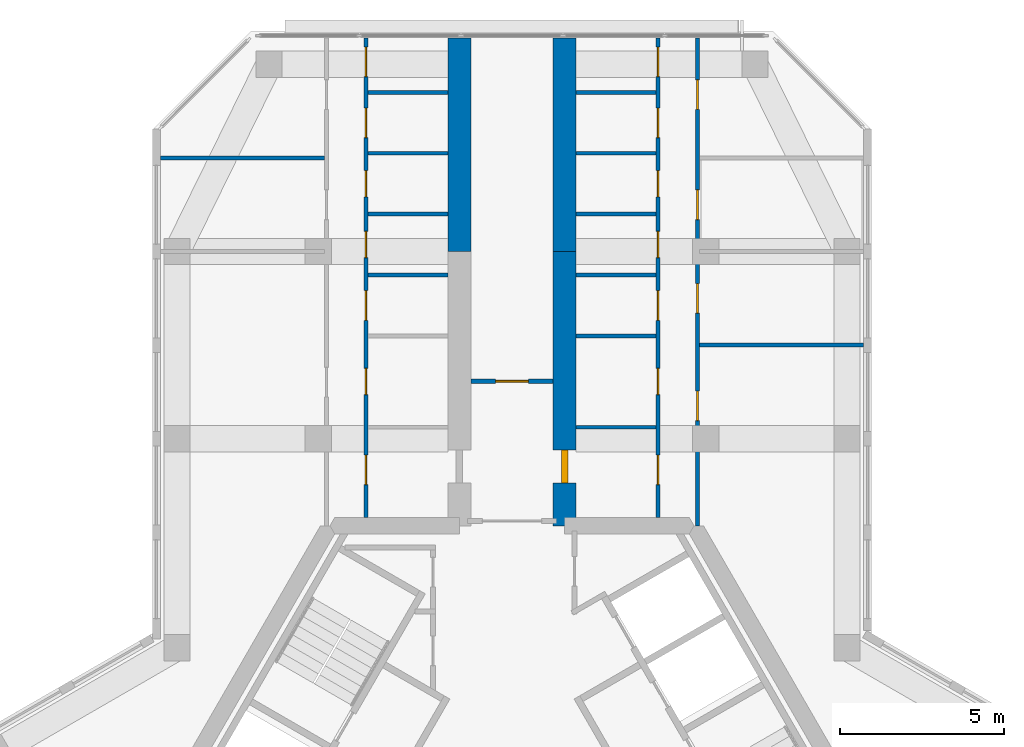
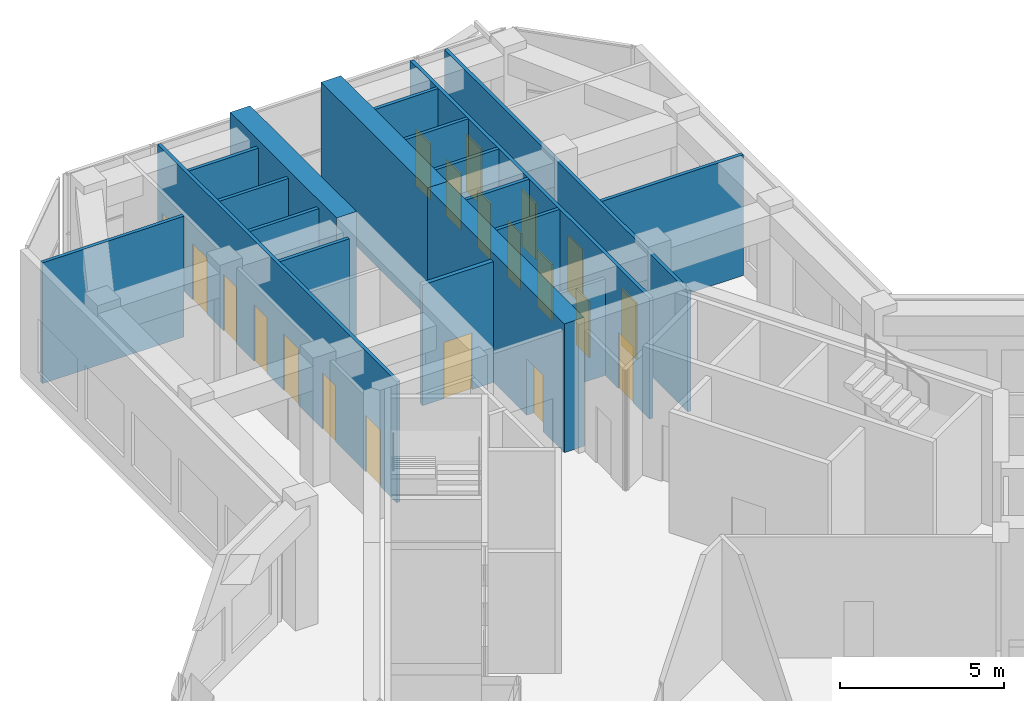
# One storey, part 12 of 14: 20 doors, 19 walls, 20 openings.
"""IFC4 building model written with IfcOpenShell, lengths in metres."""

from ifc_helpers import new_model, si_unit, direction, frame, frame_2d, origin, place, context, subcontext, project, spatial, rectangle, extrude, material, layer, layer_set, type_object, element, fill, save


model = new_model("IFC4")

# Units and contexts
model_context = context("Model", 3, precision=1e-05, world=origin(), true_north=direction((0.0, 1.0)))
body_context = subcontext(model_context, "Body", "Model", "MODEL_VIEW")
ifc_project = project(units=[si_unit("LENGTHUNIT", "METRE"), si_unit("AREAUNIT", "SQUARE_METRE"), si_unit("VOLUMEUNIT", "CUBIC_METRE"), si_unit("PLANEANGLEUNIT", "RADIAN"), si_unit("MASSUNIT", "GRAM", prefix="KILO")], contexts=[model_context])

# Site, building, storey
site_placement = place(None, origin())
site = spatial("IfcSite", under=ifc_project, at=site_placement, CompositionType="ELEMENT")
building_placement = place(site_placement, origin())
building = spatial("IfcBuilding", under=site, at=building_placement, Name="Kosmar Iwan School Tower", CompositionType="ELEMENT")
storey_placement = place(building_placement, frame((0.0, 0.0, 296.199951171875)))
storey = spatial("IfcBuildingStorey", under=building, at=storey_placement, Name="L75", CompositionType="ELEMENT", Elevation=296.199951171875)

# Wall
ifc_material_1 = material(Name="Concrete C50/60", Category="concrete")
ifc_layer_1 = layer(ifc_material_1, 0.699951171875)
ifc_layer_set_1 = layer_set([ifc_layer_1], Name="Corridor buttress wall 700")
wall_type_1 = type_object("IfcWallType", Name="Corridor buttress wall 700", PredefinedType="SHEAR", material=ifc_layer_set_1)
wall_1_placement = place(storey_placement, frame((-1.60009765625, 17.949951171875, 0.0), z_axis=(0.0, 0.0, 1.0), x_axis=(0.0, 1.0, 0.0)))
element("IfcWall", 1, at=wall_1_placement, inside=storey, type_object=wall_type_1, Name="Corridor wall AL bay 2", PredefinedType="SHEAR", context=body_context, shape_type="SweptSolid", body=[
    extrude(rectangle(XDim=6.4951171875, YDim=0.699951171875, at=frame_2d((3.24755859375, 0.0))), origin(), (0.0, 0.0, 1.0), 4.800048828125),
])

# Wall, opening, door
wall_2_placement = place(storey_placement, frame((1.60009765625, 9.60009765625, 0.0), z_axis=(0.0, 0.0, 1.0), x_axis=(0.0, 1.0, 0.0)))
wall_2 = element("IfcWall", 2, at=wall_2_placement, inside=storey, type_object=wall_type_1, Name="Corridor wall AR", PredefinedType="SHEAR", context=body_context, shape_type="SweptSolid", body=[
    extrude(rectangle(XDim=8.349853515625, YDim=0.699951171875, at=frame_2d((4.1748046875, 0.0))), origin(), (0.0, 0.0, 1.0), 4.800048828125),
])
opening_1_placement = place(wall_2_placement, frame((1.300048828125, 0.0, 0.0)))
opening_1 = element("IfcOpeningElement", 3, at=opening_1_placement, cuts=wall_2, Name="Opening D1", PredefinedType="OPENING", context=body_context, shape_type="SweptSolid", body=[
    extrude(rectangle(XDim=1.0, YDim=2.10009765625, at=frame_2d((0.5, 1.050048828125))), frame((0.0, 0.362060546875, 0.0), z_axis=(0.0, -1.0, 0.0), x_axis=(1.0, 0.0, 0.0)), (0.0, 0.0, 1.0), 0.723876953125),
])
ifc_material_2 = material(Name="Timber fire door in steel frame", Category="steel")
door_type_1 = type_object("IfcDoorType", Name="Flat entrance door 1000x2100", OperationType="SINGLE_SWING_LEFT", PredefinedType="DOOR", material=ifc_material_2)
door_1_placement = place(opening_1_placement, origin())
door_1 = element("IfcDoor", 4, at=door_1_placement, inside=storey, type_object=door_type_1, Name="Flat L75-AR1 entrance door", OperationType="SINGLE_SWING_LEFT", OverallHeight=2.10009765625, OverallWidth=1.0, PredefinedType="DOOR", context=body_context, shape_type="SweptSolid", body=[
    extrude(rectangle(XDim=1.0, YDim=2.10009765625, at=frame_2d((0.5, 1.050048828125))), frame((0.0, 0.10009765625, 0.0), z_axis=(0.0, -1.0, 0.0), x_axis=(1.0, 0.0, 0.0)), (0.0, 0.0, 1.0), 0.199951171875),
])
fill(opening_1, door_1)

# Wall
wall_3_placement = place(storey_placement, frame((1.60009765625, 17.949951171875, 0.0), z_axis=(0.0, 0.0, 1.0), x_axis=(0.0, 1.0, 0.0)))
element("IfcWall", 5, at=wall_3_placement, inside=storey, type_object=wall_type_1, Name="Corridor wall AR bay 2", PredefinedType="SHEAR", context=body_context, shape_type="SweptSolid", body=[
    extrude(rectangle(XDim=6.4951171875, YDim=0.699951171875, at=frame_2d((3.24755859375, 0.0))), origin(), (0.0, 0.0, 1.0), 4.800048828125),
])

# Wall, opening, door
ifc_material_3 = material(Name="Gypsum board on steel studs, fire-rated", Category="steel")
ifc_layer_2 = layer(ifc_material_3, 0.14990234375)
ifc_layer_set_2 = layer_set([ifc_layer_2], Name="Corridor end wall 150")
wall_type_2 = type_object("IfcWallType", Name="Corridor end wall 150", PredefinedType="PARTITIONING", material=ifc_layer_set_2)
wall_4_placement = place(storey_placement, frame((1.25, 14.0, 0.0), z_axis=(0.0, 0.0, 1.0), x_axis=(-1.0, 0.0, 0.0)))
wall_4 = element("IfcWall", 6, at=wall_4_placement, inside=storey, type_object=wall_type_2, Name="Partition L75-A-CE", PredefinedType="PARTITIONING", context=body_context, shape_type="SweptSolid", body=[
    extrude(rectangle(XDim=2.5, YDim=0.14990234375, at=frame_2d((1.25, 0.0))), origin(), (0.0, 0.0, 1.0), 4.5),
])
opening_2_placement = place(wall_4_placement, frame((0.75, 0.0, 0.0)))
opening_2 = element("IfcOpeningElement", 7, at=opening_2_placement, cuts=wall_4, Name="Opening D13", PredefinedType="OPENING", context=body_context, shape_type="SweptSolid", body=[
    extrude(rectangle(XDim=1.0, YDim=2.10009765625, at=frame_2d((0.5, 1.050048828125))), frame((0.0, 0.0869140625, 0.0), z_axis=(0.0, -1.0, 0.0), x_axis=(1.0, 0.0, 0.0)), (0.0, 0.0, 1.0), 0.173828125),
])
ifc_material_4 = material(Name="Timber fire door with vision panel", Category="wood")
door_type_2 = type_object("IfcDoorType", Name="Corridor end door 1000x2100", OperationType="SINGLE_SWING_LEFT", PredefinedType="DOOR", material=ifc_material_4)
door_2_placement = place(opening_2_placement, origin())
door_2 = element("IfcDoor", 8, at=door_2_placement, inside=storey, type_object=door_type_2, Name="Laundry and drying room door L75-A", OperationType="SINGLE_SWING_LEFT", OverallHeight=2.10009765625, OverallWidth=1.0, PredefinedType="DOOR", context=body_context, shape_type="SweptSolid", body=[
    extrude(rectangle(XDim=1.0, YDim=2.10009765625, at=frame_2d((0.5, 1.050048828125))), frame((0.0, 0.02490234375, 0.0), z_axis=(0.0, -1.0, 0.0), x_axis=(1.0, 0.0, 0.0)), (0.0, 0.0, 1.0), 0.050048828125),
])
fill(opening_2, door_2)

# Wall, openings, doors
ifc_material_5 = material(Name="Gypsum board on steel studs", Category="steel")
ifc_layer_3 = layer(ifc_material_5, 0.1201171875)
ifc_layer_set_3 = layer_set([ifc_layer_3], Name="Dwelling partition 120")
wall_type_3 = type_object("IfcWallType", Name="Dwelling partition 120", PredefinedType="PARTITIONING", material=ifc_layer_set_3)
wall_5_placement = place(storey_placement, frame((-4.449951171875, 9.85009765625, 0.0), z_axis=(0.0, 0.0, 1.0), x_axis=(0.0, 1.0, 0.0)))
wall_5 = element("IfcWall", 9, at=wall_5_placement, inside=storey, type_object=wall_type_3, Name="Partition L75-AL1-W1", PredefinedType="PARTITIONING", context=body_context, shape_type="SweptSolid", body=[
    extrude(rectangle(XDim=14.594970703125, YDim=0.1201171875, at=frame_2d((7.29736328125, 0.0))), origin(), (0.0, 0.0, 1.0), 4.5),
])
opening_3_placement = place(wall_5_placement, frame((1.0, 0.0, 0.0)))
opening_3 = element("IfcOpeningElement", 10, at=opening_3_placement, cuts=wall_5, Name="Opening D2", PredefinedType="OPENING", context=body_context, shape_type="SweptSolid", body=[
    extrude(rectangle(XDim=0.89990234375, YDim=2.10009765625, at=frame_2d((0.449951171875, 1.050048828125))), frame((0.0, 0.072021484375, 0.0), z_axis=(0.0, -1.0, 0.0), x_axis=(1.0, 0.0, 0.0)), (0.0, 0.0, 1.0), 0.14404296875),
])
opening_4_placement = place(wall_5_placement, frame((3.740478515625, 0.0, 0.0)))
opening_4 = element("IfcOpeningElement", 11, at=opening_4_placement, cuts=wall_5, Name="Opening D3", PredefinedType="OPENING", context=body_context, shape_type="SweptSolid", body=[
    extrude(rectangle(XDim=0.800048828125, YDim=2.10009765625, at=frame_2d((0.39990234375, 1.050048828125))), frame((0.0, 0.072021484375, 0.0), z_axis=(0.0, -1.0, 0.0), x_axis=(1.0, 0.0, 0.0)), (0.0, 0.0, 1.0), 0.14404296875),
])
opening_5_placement = place(wall_5_placement, frame((6.0078125, 0.0, 0.0)))
opening_5 = element("IfcOpeningElement", 12, at=opening_5_placement, cuts=wall_5, Name="Opening D2", PredefinedType="OPENING", context=body_context, shape_type="SweptSolid", body=[
    extrude(rectangle(XDim=0.89990234375, YDim=2.10009765625, at=frame_2d((0.449951171875, 1.050048828125))), frame((0.0, 0.072021484375, 0.0), z_axis=(0.0, -1.0, 0.0), x_axis=(1.0, 0.0, 0.0)), (0.0, 0.0, 1.0), 0.14404296875),
])
opening_6_placement = place(wall_5_placement, frame((7.91162109375, 0.0, 0.0)))
opening_6 = element("IfcOpeningElement", 13, at=opening_6_placement, cuts=wall_5, Name="Opening D3", PredefinedType="OPENING", context=body_context, shape_type="SweptSolid", body=[
    extrude(rectangle(XDim=0.800048828125, YDim=2.10009765625, at=frame_2d((0.39990234375, 1.050048828125))), frame((0.0, 0.072021484375, 0.0), z_axis=(0.0, -1.0, 0.0), x_axis=(1.0, 0.0, 0.0)), (0.0, 0.0, 1.0), 0.14404296875),
])
opening_7_placement = place(wall_5_placement, frame((9.765380859375, 0.0, 0.0)))
opening_7 = element("IfcOpeningElement", 14, at=opening_7_placement, cuts=wall_5, Name="Opening D3", PredefinedType="OPENING", context=body_context, shape_type="SweptSolid", body=[
    extrude(rectangle(XDim=0.800048828125, YDim=2.10009765625, at=frame_2d((0.39990234375, 1.050048828125))), frame((0.0, 0.072021484375, 0.0), z_axis=(0.0, -1.0, 0.0), x_axis=(1.0, 0.0, 0.0)), (0.0, 0.0, 1.0), 0.14404296875),
])
opening_8_placement = place(wall_5_placement, frame((11.5693359375, 0.0, 0.0)))
opening_8 = element("IfcOpeningElement", 15, at=opening_8_placement, cuts=wall_5, Name="Opening D2", PredefinedType="OPENING", context=body_context, shape_type="SweptSolid", body=[
    extrude(rectangle(XDim=0.89990234375, YDim=2.10009765625, at=frame_2d((0.449951171875, 1.050048828125))), frame((0.0, 0.072021484375, 0.0), z_axis=(0.0, -1.0, 0.0), x_axis=(1.0, 0.0, 0.0)), (0.0, 0.0, 1.0), 0.14404296875),
])
opening_9_placement = place(wall_5_placement, frame((13.423095703125, 0.0, 0.0)))
opening_9 = element("IfcOpeningElement", 16, at=opening_9_placement, cuts=wall_5, Name="Opening D2", PredefinedType="OPENING", context=body_context, shape_type="SweptSolid", body=[
    extrude(rectangle(XDim=0.89990234375, YDim=2.10009765625, at=frame_2d((0.449951171875, 1.050048828125))), frame((0.0, 0.072021484375, 0.0), z_axis=(0.0, -1.0, 0.0), x_axis=(1.0, 0.0, 0.0)), (0.0, 0.0, 1.0), 0.14404296875),
])
ifc_material_6 = material(Name="Timber door in timber frame", Category="wood")
door_type_3 = type_object("IfcDoorType", Name="Internal door 900x2100", OperationType="SINGLE_SWING_LEFT", PredefinedType="DOOR", material=ifc_material_6)
door_3_placement = place(opening_3_placement, origin())
door_3 = element("IfcDoor", 17, at=door_3_placement, inside=storey, type_object=door_type_3, Name="Entrance hall door L75-AL1-S1", OperationType="SINGLE_SWING_LEFT", OverallHeight=2.10009765625, OverallWidth=0.89990234375, PredefinedType="DOOR", context=body_context, shape_type="SweptSolid", body=[
    extrude(rectangle(XDim=0.89990234375, YDim=2.10009765625, at=frame_2d((0.449951171875, 1.050048828125))), frame((0.0, 0.02490234375, 0.0), z_axis=(0.0, -1.0, 0.0), x_axis=(1.0, 0.0, 0.0)), (0.0, 0.0, 1.0), 0.050048828125),
])
fill(opening_3, door_3)
door_4_placement = place(opening_5_placement, origin())
door_4 = element("IfcDoor", 18, at=door_4_placement, inside=storey, type_object=door_type_3, Name="Pantry door L75-AL1-S3", OperationType="SINGLE_SWING_LEFT", OverallHeight=2.10009765625, OverallWidth=0.89990234375, PredefinedType="DOOR", context=body_context, shape_type="SweptSolid", body=[
    extrude(rectangle(XDim=0.89990234375, YDim=2.10009765625, at=frame_2d((0.449951171875, 1.050048828125))), frame((0.0, 0.02490234375, 0.0), z_axis=(0.0, -1.0, 0.0), x_axis=(1.0, 0.0, 0.0)), (0.0, 0.0, 1.0), 0.050048828125),
])
fill(opening_5, door_4)
door_5_placement = place(opening_8_placement, origin())
door_5 = element("IfcDoor", 19, at=door_5_placement, inside=storey, type_object=door_type_3, Name="Utility room door L75-AL1-S6", OperationType="SINGLE_SWING_RIGHT", OverallHeight=2.10009765625, OverallWidth=0.89990234375, PredefinedType="DOOR", context=body_context, shape_type="SweptSolid", body=[
    extrude(rectangle(XDim=0.89990234375, YDim=2.10009765625, at=frame_2d((0.449951171875, 1.050048828125))), frame((0.0, 0.02490234375, 0.0), z_axis=(0.0, -1.0, 0.0), x_axis=(1.0, 0.0, 0.0)), (0.0, 0.0, 1.0), 0.050048828125),
])
fill(opening_8, door_5)
door_6_placement = place(opening_9_placement, origin())
door_6 = element("IfcDoor", 20, at=door_6_placement, inside=storey, type_object=door_type_3, Name="Dressing room door L75-AL1-S7", OperationType="SINGLE_SWING_RIGHT", OverallHeight=2.10009765625, OverallWidth=0.89990234375, PredefinedType="DOOR", context=body_context, shape_type="SweptSolid", body=[
    extrude(rectangle(XDim=0.89990234375, YDim=2.10009765625, at=frame_2d((0.449951171875, 1.050048828125))), frame((0.0, 0.02490234375, 0.0), z_axis=(0.0, -1.0, 0.0), x_axis=(1.0, 0.0, 0.0)), (0.0, 0.0, 1.0), 0.050048828125),
])
fill(opening_9, door_6)
ifc_material_7 = material(Name="Timber door in timber frame", Category="wood")
door_type_4 = type_object("IfcDoorType", Name="Sanitary room door 800x2100", OperationType="SINGLE_SWING_LEFT", PredefinedType="DOOR", material=ifc_material_7)
door_7_placement = place(opening_4_placement, origin())
door_7 = element("IfcDoor", 21, at=door_7_placement, inside=storey, type_object=door_type_4, Name="Bathroom door L75-AL1-S2", OperationType="SINGLE_SWING_LEFT", OverallHeight=2.10009765625, OverallWidth=0.800048828125, PredefinedType="DOOR", context=body_context, shape_type="SweptSolid", body=[
    extrude(rectangle(XDim=0.800048828125, YDim=2.10009765625, at=frame_2d((0.39990234375, 1.050048828125))), frame((0.0, 0.02490234375, 0.0), z_axis=(0.0, -1.0, 0.0), x_axis=(1.0, 0.0, 0.0)), (0.0, 0.0, 1.0), 0.050048828125),
])
fill(opening_4, door_7)
door_8_placement = place(opening_6_placement, origin())
door_8 = element("IfcDoor", 22, at=door_8_placement, inside=storey, type_object=door_type_4, Name="WC door L75-AL1-S4", OperationType="SINGLE_SWING_RIGHT", OverallHeight=2.10009765625, OverallWidth=0.800048828125, PredefinedType="DOOR", context=body_context, shape_type="SweptSolid", body=[
    extrude(rectangle(XDim=0.800048828125, YDim=2.10009765625, at=frame_2d((0.39990234375, 1.050048828125))), frame((0.0, 0.02490234375, 0.0), z_axis=(0.0, -1.0, 0.0), x_axis=(1.0, 0.0, 0.0)), (0.0, 0.0, 1.0), 0.050048828125),
])
fill(opening_6, door_8)
door_9_placement = place(opening_7_placement, origin())
door_9 = element("IfcDoor", 23, at=door_9_placement, inside=storey, type_object=door_type_4, Name="Store door L75-AL1-S5", OperationType="SINGLE_SWING_RIGHT", OverallHeight=2.10009765625, OverallWidth=0.800048828125, PredefinedType="DOOR", context=body_context, shape_type="SweptSolid", body=[
    extrude(rectangle(XDim=0.800048828125, YDim=2.10009765625, at=frame_2d((0.39990234375, 1.050048828125))), frame((0.0, 0.02490234375, 0.0), z_axis=(0.0, -1.0, 0.0), x_axis=(1.0, 0.0, 0.0)), (0.0, 0.0, 1.0), 0.050048828125),
])
fill(opening_7, door_9)

# Walls
wall_6_placement = place(storey_placement, frame((-5.7099609375, 20.800048828125, 0.0), z_axis=(0.0, 0.0, 1.0), x_axis=(-1.0, 0.0, 0.0)))
element("IfcWall", 24, at=wall_6_placement, inside=storey, type_object=wall_type_3, Name="Partition L75-AL1-X2", PredefinedType="PARTITIONING", context=body_context, shape_type="SweptSolid", body=[
    extrude(rectangle(XDim=4.989990234375, YDim=0.1201171875, at=frame_2d((2.4951171875, 0.0))), origin(), (0.0, 0.0, 1.0), 4.5),
])
for number, where, z_axis, x_axis, name in (
    (25, (-1.949951171875, 17.234619140625, 0.0), (0.0, 0.0, 1.0), (-1.0, 0.0, 0.0), "Partition L75-AL1-Y3"),
    (26, (-1.949951171875, 19.08837890625, 0.0), (0.0, 0.0, 1.0), (-1.0, 0.0, 0.0), "Partition L75-AL1-Y4"),
    (27, (-1.949951171875, 20.9423828125, 0.0), (0.0, 0.0, 1.0), (-1.0, 0.0, 0.0), "Partition L75-AL1-Y5"),
    (28, (-1.949951171875, 22.796142578125, 0.0), (0.0, 0.0, 1.0), (-1.0, 0.0, 0.0), "Partition L75-AL1-Y6"),
):
    element("IfcWall", number, at=place(storey_placement, frame(where, z_axis=z_axis, x_axis=x_axis)), inside=storey, type_object=wall_type_3, Name=name, PredefinedType="PARTITIONING", context=body_context, shape_type="SweptSolid", body=[
        extrude(rectangle(XDim=2.43994140625, YDim=0.1201171875, at=frame_2d((1.219970703125, 0.0))), origin(), (0.0, 0.0, 1.0), 4.5),
    ])

# Wall, openings, doors
wall_7_placement = place(storey_placement, frame((4.449951171875, 9.85009765625, 0.0), z_axis=(0.0, 0.0, 1.0), x_axis=(0.0, 1.0, 0.0)))
wall_7 = element("IfcWall", 29, at=wall_7_placement, inside=storey, type_object=wall_type_3, Name="Partition L75-AR1-W1", PredefinedType="PARTITIONING", context=body_context, shape_type="SweptSolid", body=[
    extrude(rectangle(XDim=14.594970703125, YDim=0.1201171875, at=frame_2d((7.29736328125, 0.0))), origin(), (0.0, 0.0, 1.0), 4.5),
])
opening_10_placement = place(wall_7_placement, frame((1.0, 0.0, 0.0)))
opening_10 = element("IfcOpeningElement", 30, at=opening_10_placement, cuts=wall_7, Name="Opening D2", PredefinedType="OPENING", context=body_context, shape_type="SweptSolid", body=[
    extrude(rectangle(XDim=0.89990234375, YDim=2.10009765625, at=frame_2d((0.449951171875, 1.050048828125))), frame((0.0, 0.072021484375, 0.0), z_axis=(0.0, -1.0, 0.0), x_axis=(1.0, 0.0, 0.0)), (0.0, 0.0, 1.0), 0.14404296875),
])
opening_11_placement = place(wall_7_placement, frame((3.740478515625, 0.0, 0.0)))
opening_11 = element("IfcOpeningElement", 31, at=opening_11_placement, cuts=wall_7, Name="Opening D3", PredefinedType="OPENING", context=body_context, shape_type="SweptSolid", body=[
    extrude(rectangle(XDim=0.800048828125, YDim=2.10009765625, at=frame_2d((0.39990234375, 1.050048828125))), frame((0.0, 0.072021484375, 0.0), z_axis=(0.0, -1.0, 0.0), x_axis=(1.0, 0.0, 0.0)), (0.0, 0.0, 1.0), 0.14404296875),
])
opening_12_placement = place(wall_7_placement, frame((6.0078125, 0.0, 0.0)))
opening_12 = element("IfcOpeningElement", 32, at=opening_12_placement, cuts=wall_7, Name="Opening D2", PredefinedType="OPENING", context=body_context, shape_type="SweptSolid", body=[
    extrude(rectangle(XDim=0.89990234375, YDim=2.10009765625, at=frame_2d((0.449951171875, 1.050048828125))), frame((0.0, 0.072021484375, 0.0), z_axis=(0.0, -1.0, 0.0), x_axis=(1.0, 0.0, 0.0)), (0.0, 0.0, 1.0), 0.14404296875),
])
opening_13_placement = place(wall_7_placement, frame((7.91162109375, 0.0, 0.0)))
opening_13 = element("IfcOpeningElement", 33, at=opening_13_placement, cuts=wall_7, Name="Opening D3", PredefinedType="OPENING", context=body_context, shape_type="SweptSolid", body=[
    extrude(rectangle(XDim=0.800048828125, YDim=2.10009765625, at=frame_2d((0.39990234375, 1.050048828125))), frame((0.0, 0.072021484375, 0.0), z_axis=(0.0, -1.0, 0.0), x_axis=(1.0, 0.0, 0.0)), (0.0, 0.0, 1.0), 0.14404296875),
])
opening_14_placement = place(wall_7_placement, frame((9.765380859375, 0.0, 0.0)))
opening_14 = element("IfcOpeningElement", 34, at=opening_14_placement, cuts=wall_7, Name="Opening D3", PredefinedType="OPENING", context=body_context, shape_type="SweptSolid", body=[
    extrude(rectangle(XDim=0.800048828125, YDim=2.10009765625, at=frame_2d((0.39990234375, 1.050048828125))), frame((0.0, 0.072021484375, 0.0), z_axis=(0.0, -1.0, 0.0), x_axis=(1.0, 0.0, 0.0)), (0.0, 0.0, 1.0), 0.14404296875),
])
opening_15_placement = place(wall_7_placement, frame((11.5693359375, 0.0, 0.0)))
opening_15 = element("IfcOpeningElement", 35, at=opening_15_placement, cuts=wall_7, Name="Opening D2", PredefinedType="OPENING", context=body_context, shape_type="SweptSolid", body=[
    extrude(rectangle(XDim=0.89990234375, YDim=2.10009765625, at=frame_2d((0.449951171875, 1.050048828125))), frame((0.0, 0.072021484375, 0.0), z_axis=(0.0, -1.0, 0.0), x_axis=(1.0, 0.0, 0.0)), (0.0, 0.0, 1.0), 0.14404296875),
])
opening_16_placement = place(wall_7_placement, frame((13.423095703125, 0.0, 0.0)))
opening_16 = element("IfcOpeningElement", 36, at=opening_16_placement, cuts=wall_7, Name="Opening D2", PredefinedType="OPENING", context=body_context, shape_type="SweptSolid", body=[
    extrude(rectangle(XDim=0.89990234375, YDim=2.10009765625, at=frame_2d((0.449951171875, 1.050048828125))), frame((0.0, 0.072021484375, 0.0), z_axis=(0.0, -1.0, 0.0), x_axis=(1.0, 0.0, 0.0)), (0.0, 0.0, 1.0), 0.14404296875),
])
door_10_placement = place(opening_10_placement, origin())
door_10 = element("IfcDoor", 37, at=door_10_placement, inside=storey, type_object=door_type_3, Name="Entrance hall door L75-AR1-S1", OperationType="SINGLE_SWING_RIGHT", OverallHeight=2.10009765625, OverallWidth=0.89990234375, PredefinedType="DOOR", context=body_context, shape_type="SweptSolid", body=[
    extrude(rectangle(XDim=0.89990234375, YDim=2.10009765625, at=frame_2d((0.449951171875, 1.050048828125))), frame((0.0, 0.02490234375, 0.0), z_axis=(0.0, -1.0, 0.0), x_axis=(1.0, 0.0, 0.0)), (0.0, 0.0, 1.0), 0.050048828125),
])
fill(opening_10, door_10)
door_11_placement = place(opening_12_placement, origin())
door_11 = element("IfcDoor", 38, at=door_11_placement, inside=storey, type_object=door_type_3, Name="Pantry door L75-AR1-S3", OperationType="SINGLE_SWING_RIGHT", OverallHeight=2.10009765625, OverallWidth=0.89990234375, PredefinedType="DOOR", context=body_context, shape_type="SweptSolid", body=[
    extrude(rectangle(XDim=0.89990234375, YDim=2.10009765625, at=frame_2d((0.449951171875, 1.050048828125))), frame((0.0, 0.02490234375, 0.0), z_axis=(0.0, -1.0, 0.0), x_axis=(1.0, 0.0, 0.0)), (0.0, 0.0, 1.0), 0.050048828125),
])
fill(opening_12, door_11)
door_12_placement = place(opening_15_placement, origin())
door_12 = element("IfcDoor", 39, at=door_12_placement, inside=storey, type_object=door_type_3, Name="Utility room door L75-AR1-S6", OperationType="SINGLE_SWING_LEFT", OverallHeight=2.10009765625, OverallWidth=0.89990234375, PredefinedType="DOOR", context=body_context, shape_type="SweptSolid", body=[
    extrude(rectangle(XDim=0.89990234375, YDim=2.10009765625, at=frame_2d((0.449951171875, 1.050048828125))), frame((0.0, 0.02490234375, 0.0), z_axis=(0.0, -1.0, 0.0), x_axis=(1.0, 0.0, 0.0)), (0.0, 0.0, 1.0), 0.050048828125),
])
fill(opening_15, door_12)
door_13_placement = place(opening_16_placement, origin())
door_13 = element("IfcDoor", 40, at=door_13_placement, inside=storey, type_object=door_type_3, Name="Dressing room door L75-AR1-S7", OperationType="SINGLE_SWING_RIGHT", OverallHeight=2.10009765625, OverallWidth=0.89990234375, PredefinedType="DOOR", context=body_context, shape_type="SweptSolid", body=[
    extrude(rectangle(XDim=0.89990234375, YDim=2.10009765625, at=frame_2d((0.449951171875, 1.050048828125))), frame((0.0, 0.02490234375, 0.0), z_axis=(0.0, -1.0, 0.0), x_axis=(1.0, 0.0, 0.0)), (0.0, 0.0, 1.0), 0.050048828125),
])
fill(opening_16, door_13)
door_14_placement = place(opening_11_placement, origin())
door_14 = element("IfcDoor", 41, at=door_14_placement, inside=storey, type_object=door_type_4, Name="Bathroom door L75-AR1-S2", OperationType="SINGLE_SWING_LEFT", OverallHeight=2.10009765625, OverallWidth=0.800048828125, PredefinedType="DOOR", context=body_context, shape_type="SweptSolid", body=[
    extrude(rectangle(XDim=0.800048828125, YDim=2.10009765625, at=frame_2d((0.39990234375, 1.050048828125))), frame((0.0, 0.02490234375, 0.0), z_axis=(0.0, -1.0, 0.0), x_axis=(1.0, 0.0, 0.0)), (0.0, 0.0, 1.0), 0.050048828125),
])
fill(opening_11, door_14)
door_15_placement = place(opening_13_placement, origin())
door_15 = element("IfcDoor", 42, at=door_15_placement, inside=storey, type_object=door_type_4, Name="WC door L75-AR1-S4", OperationType="SINGLE_SWING_LEFT", OverallHeight=2.10009765625, OverallWidth=0.800048828125, PredefinedType="DOOR", context=body_context, shape_type="SweptSolid", body=[
    extrude(rectangle(XDim=0.800048828125, YDim=2.10009765625, at=frame_2d((0.39990234375, 1.050048828125))), frame((0.0, 0.02490234375, 0.0), z_axis=(0.0, -1.0, 0.0), x_axis=(1.0, 0.0, 0.0)), (0.0, 0.0, 1.0), 0.050048828125),
])
fill(opening_13, door_15)
door_16_placement = place(opening_14_placement, origin())
door_16 = element("IfcDoor", 43, at=door_16_placement, inside=storey, type_object=door_type_4, Name="Store door L75-AR1-S5", OperationType="SINGLE_SWING_RIGHT", OverallHeight=2.10009765625, OverallWidth=0.800048828125, PredefinedType="DOOR", context=body_context, shape_type="SweptSolid", body=[
    extrude(rectangle(XDim=0.800048828125, YDim=2.10009765625, at=frame_2d((0.39990234375, 1.050048828125))), frame((0.0, 0.02490234375, 0.0), z_axis=(0.0, -1.0, 0.0), x_axis=(1.0, 0.0, 0.0)), (0.0, 0.0, 1.0), 0.050048828125),
])
fill(opening_14, door_16)

wall_8_placement = place(storey_placement, frame((5.64990234375, 9.60009765625, 0.0), z_axis=(0.0, 0.0, 1.0), x_axis=(0.0, 1.0, 0.0)))
wall_8 = element("IfcWall", 44, at=wall_8_placement, inside=storey, type_object=wall_type_3, Name="Partition L75-AR1-W2", PredefinedType="PARTITIONING", context=body_context, shape_type="SweptSolid", body=[
    extrude(rectangle(XDim=14.844970703125, YDim=0.1201171875, at=frame_2d((7.42236328125, 0.0))), origin(), (0.0, 0.0, 1.0), 4.5),
])
opening_17_placement = place(wall_8_placement, frame((3.199951171875, 0.0, 0.0)))
opening_17 = element("IfcOpeningElement", 45, at=opening_17_placement, cuts=wall_8, Name="Opening D2", PredefinedType="OPENING", context=body_context, shape_type="SweptSolid", body=[
    extrude(rectangle(XDim=0.89990234375, YDim=2.10009765625, at=frame_2d((0.449951171875, 1.050048828125))), frame((0.0, 0.072021484375, 0.0), z_axis=(0.0, -1.0, 0.0), x_axis=(1.0, 0.0, 0.0)), (0.0, 0.0, 1.0), 0.14404296875),
])
opening_18_placement = place(wall_8_placement, frame((6.47509765625, 0.0, 0.0)))
opening_18 = element("IfcOpeningElement", 46, at=opening_18_placement, cuts=wall_8, Name="Opening D2", PredefinedType="OPENING", context=body_context, shape_type="SweptSolid", body=[
    extrude(rectangle(XDim=0.89990234375, YDim=2.10009765625, at=frame_2d((0.449951171875, 1.050048828125))), frame((0.0, 0.072021484375, 0.0), z_axis=(0.0, -1.0, 0.0), x_axis=(1.0, 0.0, 0.0)), (0.0, 0.0, 1.0), 0.14404296875),
])
opening_19_placement = place(wall_8_placement, frame((9.324951171875, 0.0, 0.0)))
opening_19 = element("IfcOpeningElement", 47, at=opening_19_placement, cuts=wall_8, Name="Opening D2", PredefinedType="OPENING", context=body_context, shape_type="SweptSolid", body=[
    extrude(rectangle(XDim=0.89990234375, YDim=2.10009765625, at=frame_2d((0.449951171875, 1.050048828125))), frame((0.0, 0.072021484375, 0.0), z_axis=(0.0, -1.0, 0.0), x_axis=(1.0, 0.0, 0.0)), (0.0, 0.0, 1.0), 0.14404296875),
])
opening_20_placement = place(wall_8_placement, frame((12.675048828125, 0.0, 0.0)))
opening_20 = element("IfcOpeningElement", 48, at=opening_20_placement, cuts=wall_8, Name="Opening D2", PredefinedType="OPENING", context=body_context, shape_type="SweptSolid", body=[
    extrude(rectangle(XDim=0.89990234375, YDim=2.10009765625, at=frame_2d((0.449951171875, 1.050048828125))), frame((0.0, 0.072021484375, 0.0), z_axis=(0.0, -1.0, 0.0), x_axis=(1.0, 0.0, 0.0)), (0.0, 0.0, 1.0), 0.14404296875),
])
door_17_placement = place(opening_17_placement, origin())
door_17 = element("IfcDoor", 49, at=door_17_placement, inside=storey, type_object=door_type_3, Name="Living room and kitchen door L75-AR1-F1", OperationType="SINGLE_SWING_LEFT", OverallHeight=2.10009765625, OverallWidth=0.89990234375, PredefinedType="DOOR", context=body_context, shape_type="SweptSolid", body=[
    extrude(rectangle(XDim=0.89990234375, YDim=2.10009765625, at=frame_2d((0.449951171875, 1.050048828125))), frame((0.0, 0.02490234375, 0.0), z_axis=(0.0, -1.0, 0.0), x_axis=(1.0, 0.0, 0.0)), (0.0, 0.0, 1.0), 0.050048828125),
])
fill(opening_17, door_17)
door_18_placement = place(opening_18_placement, origin())
door_18 = element("IfcDoor", 50, at=door_18_placement, inside=storey, type_object=door_type_3, Name="Study door L75-AR1-F2", OperationType="SINGLE_SWING_LEFT", OverallHeight=2.10009765625, OverallWidth=0.89990234375, PredefinedType="DOOR", context=body_context, shape_type="SweptSolid", body=[
    extrude(rectangle(XDim=0.89990234375, YDim=2.10009765625, at=frame_2d((0.449951171875, 1.050048828125))), frame((0.0, 0.02490234375, 0.0), z_axis=(0.0, -1.0, 0.0), x_axis=(1.0, 0.0, 0.0)), (0.0, 0.0, 1.0), 0.050048828125),
])
fill(opening_18, door_18)
door_19_placement = place(opening_19_placement, origin())
door_19 = element("IfcDoor", 51, at=door_19_placement, inside=storey, type_object=door_type_3, Name="Winter garden door L75-AR1-F3", OperationType="SINGLE_SWING_RIGHT", OverallHeight=2.10009765625, OverallWidth=0.89990234375, PredefinedType="DOOR", context=body_context, shape_type="SweptSolid", body=[
    extrude(rectangle(XDim=0.89990234375, YDim=2.10009765625, at=frame_2d((0.449951171875, 1.050048828125))), frame((0.0, 0.02490234375, 0.0), z_axis=(0.0, -1.0, 0.0), x_axis=(1.0, 0.0, 0.0)), (0.0, 0.0, 1.0), 0.050048828125),
])
fill(opening_19, door_19)
door_20_placement = place(opening_20_placement, origin())
door_20 = element("IfcDoor", 52, at=door_20_placement, inside=storey, type_object=door_type_3, Name="Bedroom 1 door L75-AR1-F4", OperationType="SINGLE_SWING_RIGHT", OverallHeight=2.10009765625, OverallWidth=0.89990234375, PredefinedType="DOOR", context=body_context, shape_type="SweptSolid", body=[
    extrude(rectangle(XDim=0.89990234375, YDim=2.10009765625, at=frame_2d((0.449951171875, 1.050048828125))), frame((0.0, 0.02490234375, 0.0), z_axis=(0.0, -1.0, 0.0), x_axis=(1.0, 0.0, 0.0)), (0.0, 0.0, 1.0), 0.050048828125),
])
fill(opening_20, door_20)

# Walls
wall_9_placement = place(storey_placement, frame((5.7099609375, 15.10009765625, 0.0), z_axis=(0.0, 0.0, 1.0), x_axis=(1.0, 0.0, 0.0)))
element("IfcWall", 53, at=wall_9_placement, inside=storey, type_object=wall_type_3, Name="Partition L75-AR1-X1", PredefinedType="PARTITIONING", context=body_context, shape_type="SweptSolid", body=[
    extrude(rectangle(XDim=4.989990234375, YDim=0.1201171875, at=frame_2d((2.4951171875, 0.0))), origin(), (0.0, 0.0, 1.0), 4.5),
])
wall_10_placement = place(storey_placement, frame((1.949951171875, 12.60009765625, 0.0), z_axis=(0.0, 0.0, 1.0), x_axis=(1.0, 0.0, 0.0)))
element("IfcWall", 54, at=wall_10_placement, inside=storey, type_object=wall_type_3, Name="Partition L75-AR1-Y1", PredefinedType="PARTITIONING", context=body_context, shape_type="SweptSolid", body=[
    extrude(rectangle(XDim=2.43994140625, YDim=0.1201171875, at=frame_2d((1.219970703125, 0.0))), origin(), (0.0, 0.0, 1.0), 3.60009765625),
])
for number, where, z_axis, x_axis, name in (
    (55, (1.949951171875, 15.380859375, 0.0), (0.0, 0.0, 1.0), (1.0, 0.0, 0.0), "Partition L75-AR1-Y2"),
    (56, (1.949951171875, 17.234619140625, 0.0), (0.0, 0.0, 1.0), (1.0, 0.0, 0.0), "Partition L75-AR1-Y3"),
    (57, (1.949951171875, 19.08837890625, 0.0), (0.0, 0.0, 1.0), (1.0, 0.0, 0.0), "Partition L75-AR1-Y4"),
    (58, (1.949951171875, 20.9423828125, 0.0), (0.0, 0.0, 1.0), (1.0, 0.0, 0.0), "Partition L75-AR1-Y5"),
    (59, (1.949951171875, 22.796142578125, 0.0), (0.0, 0.0, 1.0), (1.0, 0.0, 0.0), "Partition L75-AR1-Y6"),
):
    element("IfcWall", number, at=place(storey_placement, frame(where, z_axis=z_axis, x_axis=x_axis)), inside=storey, type_object=wall_type_3, Name=name, PredefinedType="PARTITIONING", context=body_context, shape_type="SweptSolid", body=[
        extrude(rectangle(XDim=2.43994140625, YDim=0.1201171875, at=frame_2d((1.219970703125, 0.0))), origin(), (0.0, 0.0, 1.0), 4.5),
    ])

save(model, "model.ifc")
